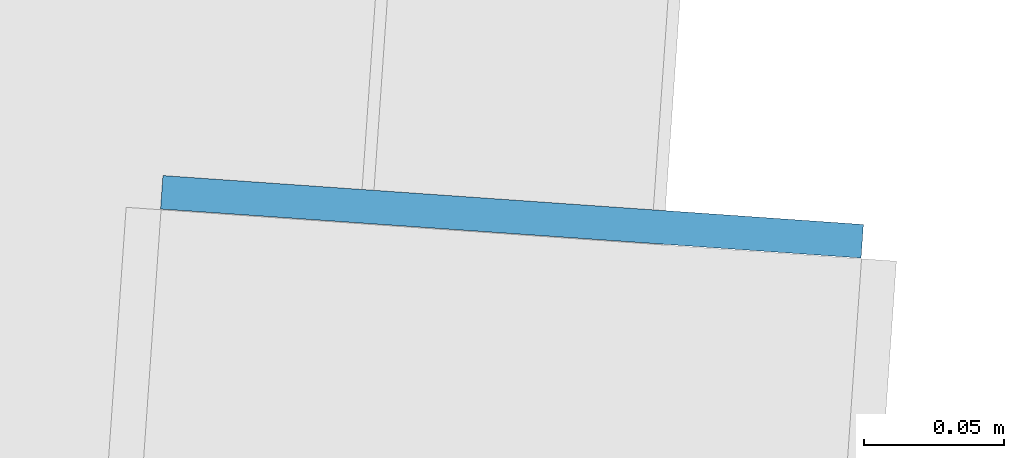
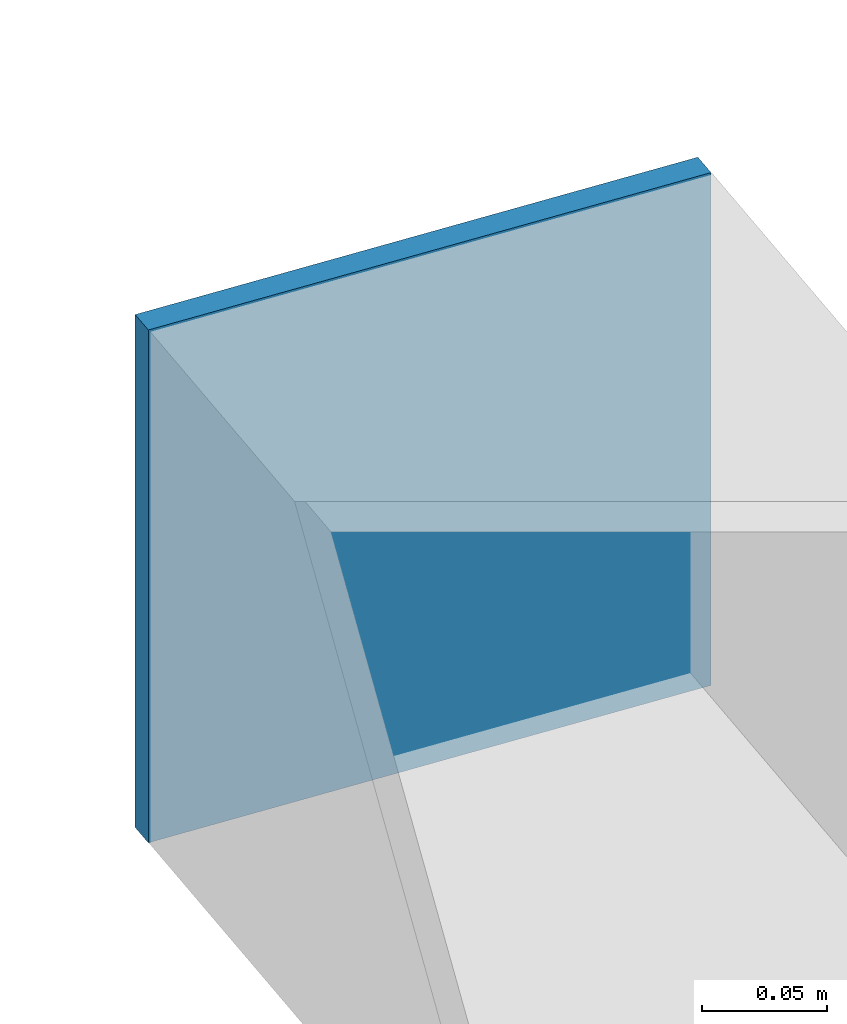
# One storey, part 34 of 39: 1 plate.
"""IFC4 building model written with IfcOpenShell, lengths in metres."""

from ifc_helpers import new_model, si_unit, direction, frame, origin, origin_2d, place, context, subcontext, project, spatial, rectangle, extrude, source, transform, mapped, material, layer, layer_set, type_object, element, save


model = new_model("IFC4")

# Units and contexts
model_context = context("Model", 3, precision=1e-05, world=origin(), true_north=direction((0.0, 1.0)))
body_context = subcontext(model_context, "Body", "Model", "MODEL_VIEW")
ifc_project = project(units=[si_unit("LENGTHUNIT", "METRE"), si_unit("AREAUNIT", "SQUARE_METRE"), si_unit("VOLUMEUNIT", "CUBIC_METRE"), si_unit("PLANEANGLEUNIT", "RADIAN"), si_unit("MASSUNIT", "GRAM", prefix="KILO")], contexts=[model_context])

# Site, building, storey
site_placement = place(None, origin())
site = spatial("IfcSite", under=ifc_project, at=site_placement, CompositionType="ELEMENT")
building_placement = place(site_placement, origin())
building = spatial("IfcBuilding", under=site, at=building_placement, Name="Taldren Reach Tower", CompositionType="ELEMENT")
storey_placement = place(building_placement, frame((0.0, 0.0, 126.699951171875)))
storey = spatial("IfcBuildingStorey", under=building, at=storey_placement, Name="L38", CompositionType="ELEMENT", Elevation=126.699951171875)

# Plate
ifc_material = material(Name="Steel Gr 350 (C350L0)", Category="steel")
ifc_layer = layer(ifc_material, 0.011962890625)
ifc_layer_set = layer_set([ifc_layer], Name="Steel Gr 350 (C350L0)")
plate_type = type_object("IfcPlateType", Name="PL-CAP-250", PredefinedType="SHEET", material=ifc_layer_set)
shared_shape = source(origin(), body_context, "Body", "SweptSolid", [
    extrude(rectangle(XDim=0.25, YDim=0.011962890625, at=origin_2d()), origin(), (0.0, 0.0, 1.0), 0.25),
])
plate_placement = place(storey_placement, frame((58.544921875, 36.413818359375, 0.094970703125), z_axis=(0.0, 0.0, 1.0), x_axis=(0.99756405026, -0.069756473744, 0.0)))
element("IfcPlate", 1, at=plate_placement, inside=storey, type_object=plate_type, Name="Tie strut end cap plate B3-N6 L38", PredefinedType="SHEET", context=body_context, shape_type="MappedRepresentation", body=[
    mapped(shared_shape, transform((0.0, 0.0, 0.0), scale=1.0)),
])

save(model, "model.ifc")
